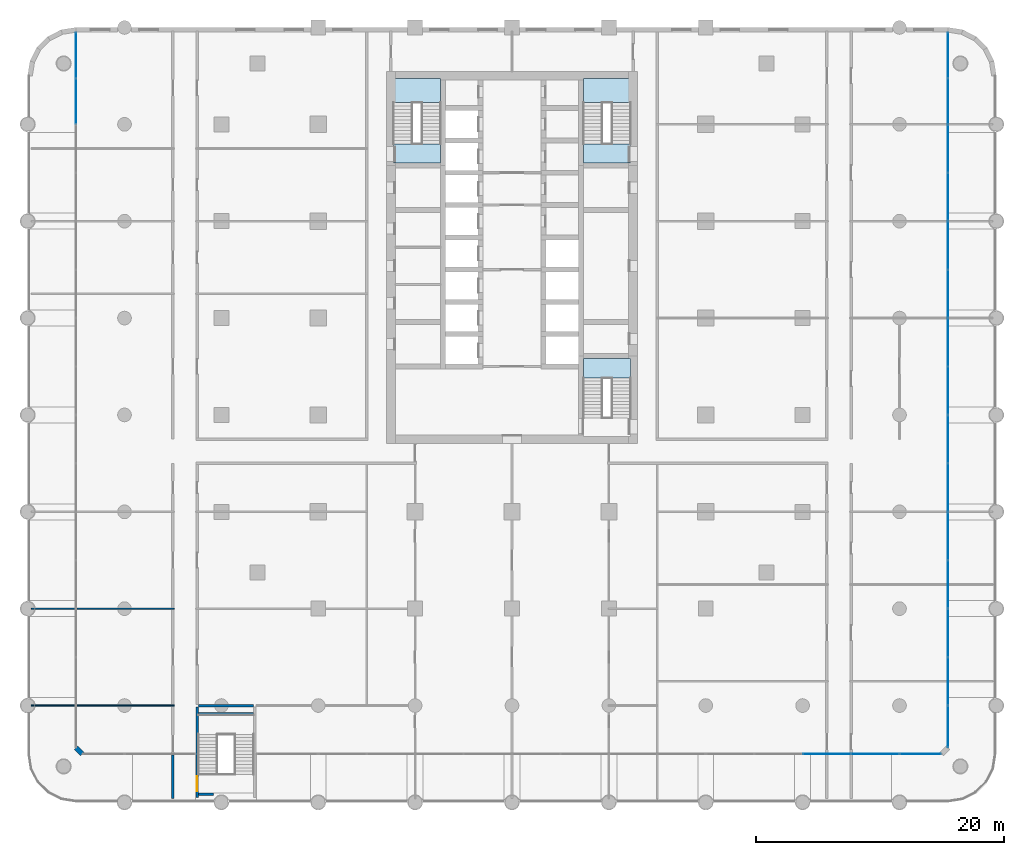
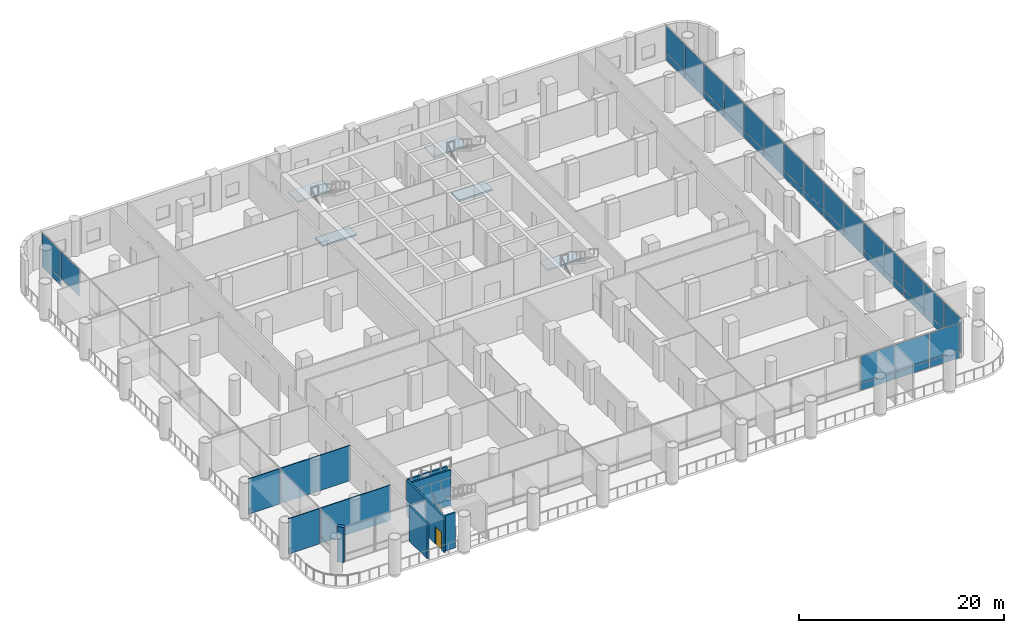
# One storey, part 9 of 24: 39 plates, 10 walls, 5 slabs, 1 door, 1 opening, 14 elements without a shape of their own.
"""IFC4 building model written with IfcOpenShell, lengths in metres."""

from ifc_helpers import new_model, si_unit, direction, frame, frame_2d, origin, origin_2d, place, context, subcontext, project, spatial, polyline, rectangle, outline, extrude, material, layer, layer_set, type_object, element, fill, aggregate, save


model = new_model("IFC4")

# Units and contexts
model_context = context("Model", 3, precision=1e-05, world=origin(), true_north=direction((0.0, 1.0)))
body_context = subcontext(model_context, "Body", "Model", "MODEL_VIEW")
ifc_project = project(units=[si_unit("LENGTHUNIT", "METRE"), si_unit("AREAUNIT", "SQUARE_METRE"), si_unit("VOLUMEUNIT", "CUBIC_METRE"), si_unit("PLANEANGLEUNIT", "RADIAN"), si_unit("MASSUNIT", "GRAM", prefix="KILO")], contexts=[model_context])

# Site, building, storey
site_placement = place(None, origin())
site = spatial("IfcSite", under=ifc_project, at=site_placement, CompositionType="ELEMENT")
building_placement = place(site_placement, origin())
building = spatial("IfcBuilding", under=site, at=building_placement, Name="Ludao Terraces", CompositionType="ELEMENT")
storey_placement = place(building_placement, frame((0.0, 0.0, 6.0)))
storey = spatial("IfcBuildingStorey", under=building, at=storey_placement, Name="L01", CompositionType="ELEMENT", Elevation=6.0)

# Curtain wall, plates
ifc_material_1 = material(Name="Aluminium curtain wall with fritted glass", Category="aluminium")
curtain_wall_type = type_object("IfcCurtainWallType", Name="ENV CW1 podium glazing", PredefinedType="NOTDEFINED", material=ifc_material_1)
curtain_wall_1_placement = place(storey_placement, origin())
curtain_wall_1 = element("IfcCurtainWall", 1, at=curtain_wall_1_placement, inside=storey, type_object=curtain_wall_type, Name="CW-L01-S9", PredefinedType="NOTDEFINED")
ifc_material_2 = material(Name="Fritted glass panel", Category="glass")
ifc_layer_1 = layer(ifc_material_2, 0.028076171875)
ifc_layer_set_1 = layer_set([ifc_layer_1], Name="ENV CW1 glass panel")
plate_type = type_object("IfcPlateType", Name="ENV CW1 glass panel", PredefinedType="CURTAIN_PANEL", material=ifc_layer_set_1)
plate_1_placement = place(storey_placement, frame((110.364990234375, 29.89990234375, 0.06005859375), z_axis=(0.0, 0.0, 1.0), x_axis=(1.0, 0.0, 0.0)))
plate_1 = element("IfcPlate", 2, at=plate_1_placement, type_object=plate_type, Name="CW1 panel 1.1", PredefinedType="CURTAIN_PANEL", context=body_context, shape_type="SweptSolid", body=[
    extrude(rectangle(XDim=3.81005859375, YDim=0.028076171875, at=origin_2d()), origin(), (0.0, 0.0, 1.0), 0.81005859375),
])
plate_2_placement = place(storey_placement, frame((110.364990234375, 29.89990234375, 0.929931640625), z_axis=(0.0, 0.0, 1.0), x_axis=(1.0, 0.0, 0.0)))
plate_2 = element("IfcPlate", 3, at=plate_2_placement, type_object=plate_type, Name="CW1 panel 1.2", PredefinedType="CURTAIN_PANEL", context=body_context, shape_type="SweptSolid", body=[
    extrude(rectangle(XDim=3.81005859375, YDim=0.028076171875, at=origin_2d()), origin(), (0.0, 0.0, 1.0), 3.2099609375),
])
plate_3_placement = place(storey_placement, frame((114.235107421875, 29.89990234375, 0.06005859375), z_axis=(0.0, 0.0, 1.0), x_axis=(1.0, 0.0, 0.0)))
plate_3 = element("IfcPlate", 4, at=plate_3_placement, type_object=plate_type, Name="CW1 panel 2.1", PredefinedType="CURTAIN_PANEL", context=body_context, shape_type="SweptSolid", body=[
    extrude(rectangle(XDim=3.81005859375, YDim=0.028076171875, at=origin_2d()), origin(), (0.0, 0.0, 1.0), 0.81005859375),
])
plate_4_placement = place(storey_placement, frame((114.235107421875, 29.89990234375, 0.929931640625), z_axis=(0.0, 0.0, 1.0), x_axis=(1.0, 0.0, 0.0)))
plate_4 = element("IfcPlate", 5, at=plate_4_placement, type_object=plate_type, Name="CW1 panel 2.2", PredefinedType="CURTAIN_PANEL", context=body_context, shape_type="SweptSolid", body=[
    extrude(rectangle(XDim=3.81005859375, YDim=0.028076171875, at=origin_2d()), origin(), (0.0, 0.0, 1.0), 3.2099609375),
])
aggregate(curtain_wall_1, [plate_1, plate_2, plate_3, plate_4])

curtain_wall_2_placement = place(storey_placement, origin())
curtain_wall_2 = element("IfcCurtainWall", 6, at=curtain_wall_2_placement, inside=storey, type_object=curtain_wall_type, Name="CW-L01-S10", PredefinedType="NOTDEFINED")
plate_5_placement = place(storey_placement, frame((117.89990234375, 29.89990234375, 0.06005859375), z_axis=(0.0, 0.0, 1.0), x_axis=(1.0, 0.0, 0.0)))
plate_5 = element("IfcPlate", 7, at=plate_5_placement, type_object=plate_type, Name="CW1 panel 1.1", PredefinedType="CURTAIN_PANEL", context=body_context, shape_type="SweptSolid", body=[
    extrude(rectangle(XDim=3.280029296875, YDim=0.028076171875, at=origin_2d()), origin(), (0.0, 0.0, 1.0), 0.81005859375),
])
plate_6_placement = place(storey_placement, frame((117.89990234375, 29.89990234375, 0.929931640625), z_axis=(0.0, 0.0, 1.0), x_axis=(1.0, 0.0, 0.0)))
plate_6 = element("IfcPlate", 8, at=plate_6_placement, type_object=plate_type, Name="CW1 panel 1.2", PredefinedType="CURTAIN_PANEL", context=body_context, shape_type="SweptSolid", body=[
    extrude(rectangle(XDim=3.280029296875, YDim=0.028076171875, at=origin_2d()), origin(), (0.0, 0.0, 1.0), 3.2099609375),
])
aggregate(curtain_wall_2, [plate_5, plate_6])

curtain_wall_3_placement = place(storey_placement, origin())
curtain_wall_3 = element("IfcCurtainWall", 9, at=curtain_wall_3_placement, inside=storey, type_object=curtain_wall_type, Name="CW-L01-E1", PredefinedType="NOTDEFINED")
plate_7_placement = place(storey_placement, frame((120.10009765625, 32.10009765625, 0.06005859375), z_axis=(0.0, 0.0, 1.0), x_axis=(0.0, 1.0, 0.0)))
plate_7 = element("IfcPlate", 10, at=plate_7_placement, type_object=plate_type, Name="CW1 panel 1.1", PredefinedType="CURTAIN_PANEL", context=body_context, shape_type="SweptSolid", body=[
    extrude(rectangle(XDim=3.280029296875, YDim=0.028076171875, at=origin_2d()), origin(), (0.0, 0.0, 1.0), 0.81005859375),
])
plate_8_placement = place(storey_placement, frame((120.10009765625, 32.10009765625, 0.929931640625), z_axis=(0.0, 0.0, 1.0), x_axis=(0.0, 1.0, 0.0)))
plate_8 = element("IfcPlate", 11, at=plate_8_placement, type_object=plate_type, Name="CW1 panel 1.2", PredefinedType="CURTAIN_PANEL", context=body_context, shape_type="SweptSolid", body=[
    extrude(rectangle(XDim=3.280029296875, YDim=0.028076171875, at=origin_2d()), origin(), (0.0, 0.0, 1.0), 3.2099609375),
])
aggregate(curtain_wall_3, [plate_7, plate_8])

curtain_wall_4_placement = place(storey_placement, origin())
curtain_wall_4 = element("IfcCurtainWall", 12, at=curtain_wall_4_placement, inside=storey, type_object=curtain_wall_type, Name="CW-L01-E2", PredefinedType="NOTDEFINED")
plate_9_placement = place(storey_placement, frame((120.10009765625, 35.764892578125, 0.06005859375), z_axis=(0.0, 0.0, 1.0), x_axis=(0.0, 1.0, 0.0)))
plate_9 = element("IfcPlate", 13, at=plate_9_placement, type_object=plate_type, Name="CW1 panel 1.1", PredefinedType="CURTAIN_PANEL", context=body_context, shape_type="SweptSolid", body=[
    extrude(rectangle(XDim=3.81005859375, YDim=0.028076171875, at=origin_2d()), origin(), (0.0, 0.0, 1.0), 0.81005859375),
])
plate_10_placement = place(storey_placement, frame((120.10009765625, 35.764892578125, 0.929931640625), z_axis=(0.0, 0.0, 1.0), x_axis=(0.0, 1.0, 0.0)))
plate_10 = element("IfcPlate", 14, at=plate_10_placement, type_object=plate_type, Name="CW1 panel 1.2", PredefinedType="CURTAIN_PANEL", context=body_context, shape_type="SweptSolid", body=[
    extrude(rectangle(XDim=3.81005859375, YDim=0.028076171875, at=origin_2d()), origin(), (0.0, 0.0, 1.0), 3.2099609375),
])
plate_11_placement = place(storey_placement, frame((120.10009765625, 39.635009765625, 0.06005859375), z_axis=(0.0, 0.0, 1.0), x_axis=(0.0, 1.0, 0.0)))
plate_11 = element("IfcPlate", 15, at=plate_11_placement, type_object=plate_type, Name="CW1 panel 2.1", PredefinedType="CURTAIN_PANEL", context=body_context, shape_type="SweptSolid", body=[
    extrude(rectangle(XDim=3.81005859375, YDim=0.028076171875, at=origin_2d()), origin(), (0.0, 0.0, 1.0), 0.81005859375),
])
plate_12_placement = place(storey_placement, frame((120.10009765625, 39.635009765625, 0.929931640625), z_axis=(0.0, 0.0, 1.0), x_axis=(0.0, 1.0, 0.0)))
plate_12 = element("IfcPlate", 16, at=plate_12_placement, type_object=plate_type, Name="CW1 panel 2.2", PredefinedType="CURTAIN_PANEL", context=body_context, shape_type="SweptSolid", body=[
    extrude(rectangle(XDim=3.81005859375, YDim=0.028076171875, at=origin_2d()), origin(), (0.0, 0.0, 1.0), 3.2099609375),
])
aggregate(curtain_wall_4, [plate_9, plate_10, plate_11, plate_12])

curtain_wall_5_placement = place(storey_placement, origin())
curtain_wall_5 = element("IfcCurtainWall", 17, at=curtain_wall_5_placement, inside=storey, type_object=curtain_wall_type, Name="CW-L01-E3", PredefinedType="NOTDEFINED")
plate_13_placement = place(storey_placement, frame((120.10009765625, 43.56494140625, 0.06005859375), z_axis=(0.0, 0.0, 1.0), x_axis=(0.0, 1.0, 0.0)))
plate_13 = element("IfcPlate", 18, at=plate_13_placement, type_object=plate_type, Name="CW1 panel 1.1", PredefinedType="CURTAIN_PANEL", context=body_context, shape_type="SweptSolid", body=[
    extrude(rectangle(XDim=3.81005859375, YDim=0.028076171875, at=origin_2d()), origin(), (0.0, 0.0, 1.0), 0.81005859375),
])
plate_14_placement = place(storey_placement, frame((120.10009765625, 43.56494140625, 0.929931640625), z_axis=(0.0, 0.0, 1.0), x_axis=(0.0, 1.0, 0.0)))
plate_14 = element("IfcPlate", 19, at=plate_14_placement, type_object=plate_type, Name="CW1 panel 1.2", PredefinedType="CURTAIN_PANEL", context=body_context, shape_type="SweptSolid", body=[
    extrude(rectangle(XDim=3.81005859375, YDim=0.028076171875, at=origin_2d()), origin(), (0.0, 0.0, 1.0), 3.2099609375),
])
plate_15_placement = place(storey_placement, frame((120.10009765625, 47.43505859375, 0.06005859375), z_axis=(0.0, 0.0, 1.0), x_axis=(0.0, 1.0, 0.0)))
plate_15 = element("IfcPlate", 20, at=plate_15_placement, type_object=plate_type, Name="CW1 panel 2.1", PredefinedType="CURTAIN_PANEL", context=body_context, shape_type="SweptSolid", body=[
    extrude(rectangle(XDim=3.81005859375, YDim=0.028076171875, at=origin_2d()), origin(), (0.0, 0.0, 1.0), 0.81005859375),
])
plate_16_placement = place(storey_placement, frame((120.10009765625, 47.43505859375, 0.929931640625), z_axis=(0.0, 0.0, 1.0), x_axis=(0.0, 1.0, 0.0)))
plate_16 = element("IfcPlate", 21, at=plate_16_placement, type_object=plate_type, Name="CW1 panel 2.2", PredefinedType="CURTAIN_PANEL", context=body_context, shape_type="SweptSolid", body=[
    extrude(rectangle(XDim=3.81005859375, YDim=0.028076171875, at=origin_2d()), origin(), (0.0, 0.0, 1.0), 3.2099609375),
])
aggregate(curtain_wall_5, [plate_13, plate_14, plate_15, plate_16])

curtain_wall_6_placement = place(storey_placement, origin())
curtain_wall_6 = element("IfcCurtainWall", 22, at=curtain_wall_6_placement, inside=storey, type_object=curtain_wall_type, Name="CW-L01-E4", PredefinedType="NOTDEFINED")
plate_17_placement = place(storey_placement, frame((120.10009765625, 51.364990234375, 0.06005859375), z_axis=(0.0, 0.0, 1.0), x_axis=(0.0, 1.0, 0.0)))
plate_17 = element("IfcPlate", 23, at=plate_17_placement, type_object=plate_type, Name="CW1 panel 1.1", PredefinedType="CURTAIN_PANEL", context=body_context, shape_type="SweptSolid", body=[
    extrude(rectangle(XDim=3.81005859375, YDim=0.028076171875, at=origin_2d()), origin(), (0.0, 0.0, 1.0), 0.81005859375),
])
plate_18_placement = place(storey_placement, frame((120.10009765625, 51.364990234375, 0.929931640625), z_axis=(0.0, 0.0, 1.0), x_axis=(0.0, 1.0, 0.0)))
plate_18 = element("IfcPlate", 24, at=plate_18_placement, type_object=plate_type, Name="CW1 panel 1.2", PredefinedType="CURTAIN_PANEL", context=body_context, shape_type="SweptSolid", body=[
    extrude(rectangle(XDim=3.81005859375, YDim=0.028076171875, at=origin_2d()), origin(), (0.0, 0.0, 1.0), 3.2099609375),
])
plate_19_placement = place(storey_placement, frame((120.10009765625, 55.235107421875, 0.06005859375), z_axis=(0.0, 0.0, 1.0), x_axis=(0.0, 1.0, 0.0)))
plate_19 = element("IfcPlate", 25, at=plate_19_placement, type_object=plate_type, Name="CW1 panel 2.1", PredefinedType="CURTAIN_PANEL", context=body_context, shape_type="SweptSolid", body=[
    extrude(rectangle(XDim=3.81005859375, YDim=0.028076171875, at=origin_2d()), origin(), (0.0, 0.0, 1.0), 0.81005859375),
])
plate_20_placement = place(storey_placement, frame((120.10009765625, 55.235107421875, 0.929931640625), z_axis=(0.0, 0.0, 1.0), x_axis=(0.0, 1.0, 0.0)))
plate_20 = element("IfcPlate", 26, at=plate_20_placement, type_object=plate_type, Name="CW1 panel 2.2", PredefinedType="CURTAIN_PANEL", context=body_context, shape_type="SweptSolid", body=[
    extrude(rectangle(XDim=3.81005859375, YDim=0.028076171875, at=origin_2d()), origin(), (0.0, 0.0, 1.0), 3.2099609375),
])
aggregate(curtain_wall_6, [plate_17, plate_18, plate_19, plate_20])

curtain_wall_7_placement = place(storey_placement, origin())
curtain_wall_7 = element("IfcCurtainWall", 27, at=curtain_wall_7_placement, inside=storey, type_object=curtain_wall_type, Name="CW-L01-E5", PredefinedType="NOTDEFINED")
plate_21_placement = place(storey_placement, frame((120.10009765625, 59.1650390625, 0.06005859375), z_axis=(0.0, 0.0, 1.0), x_axis=(0.0, 1.0, 0.0)))
plate_21 = element("IfcPlate", 28, at=plate_21_placement, type_object=plate_type, Name="CW1 panel 1.1", PredefinedType="CURTAIN_PANEL", context=body_context, shape_type="SweptSolid", body=[
    extrude(rectangle(XDim=3.81005859375, YDim=0.028076171875, at=origin_2d()), origin(), (0.0, 0.0, 1.0), 0.81005859375),
])
plate_22_placement = place(storey_placement, frame((120.10009765625, 59.1650390625, 0.929931640625), z_axis=(0.0, 0.0, 1.0), x_axis=(0.0, 1.0, 0.0)))
plate_22 = element("IfcPlate", 29, at=plate_22_placement, type_object=plate_type, Name="CW1 panel 1.2", PredefinedType="CURTAIN_PANEL", context=body_context, shape_type="SweptSolid", body=[
    extrude(rectangle(XDim=3.81005859375, YDim=0.028076171875, at=origin_2d()), origin(), (0.0, 0.0, 1.0), 3.2099609375),
])
plate_23_placement = place(storey_placement, frame((120.10009765625, 63.034912109375, 0.06005859375), z_axis=(0.0, 0.0, 1.0), x_axis=(0.0, 1.0, 0.0)))
plate_23 = element("IfcPlate", 30, at=plate_23_placement, type_object=plate_type, Name="CW1 panel 2.1", PredefinedType="CURTAIN_PANEL", context=body_context, shape_type="SweptSolid", body=[
    extrude(rectangle(XDim=3.81005859375, YDim=0.028076171875, at=origin_2d()), origin(), (0.0, 0.0, 1.0), 0.81005859375),
])
plate_24_placement = place(storey_placement, frame((120.10009765625, 63.034912109375, 0.929931640625), z_axis=(0.0, 0.0, 1.0), x_axis=(0.0, 1.0, 0.0)))
plate_24 = element("IfcPlate", 31, at=plate_24_placement, type_object=plate_type, Name="CW1 panel 2.2", PredefinedType="CURTAIN_PANEL", context=body_context, shape_type="SweptSolid", body=[
    extrude(rectangle(XDim=3.81005859375, YDim=0.028076171875, at=origin_2d()), origin(), (0.0, 0.0, 1.0), 3.2099609375),
])
aggregate(curtain_wall_7, [plate_21, plate_22, plate_23, plate_24])

curtain_wall_8_placement = place(storey_placement, origin())
curtain_wall_8 = element("IfcCurtainWall", 32, at=curtain_wall_8_placement, inside=storey, type_object=curtain_wall_type, Name="CW-L01-E6", PredefinedType="NOTDEFINED")
plate_25_placement = place(storey_placement, frame((120.10009765625, 66.965087890625, 0.06005859375), z_axis=(0.0, 0.0, 1.0), x_axis=(0.0, 1.0, 0.0)))
plate_25 = element("IfcPlate", 33, at=plate_25_placement, type_object=plate_type, Name="CW1 panel 1.1", PredefinedType="CURTAIN_PANEL", context=body_context, shape_type="SweptSolid", body=[
    extrude(rectangle(XDim=3.81005859375, YDim=0.028076171875, at=origin_2d()), origin(), (0.0, 0.0, 1.0), 0.81005859375),
])
plate_26_placement = place(storey_placement, frame((120.10009765625, 66.965087890625, 0.929931640625), z_axis=(0.0, 0.0, 1.0), x_axis=(0.0, 1.0, 0.0)))
plate_26 = element("IfcPlate", 34, at=plate_26_placement, type_object=plate_type, Name="CW1 panel 1.2", PredefinedType="CURTAIN_PANEL", context=body_context, shape_type="SweptSolid", body=[
    extrude(rectangle(XDim=3.81005859375, YDim=0.028076171875, at=origin_2d()), origin(), (0.0, 0.0, 1.0), 3.2099609375),
])
plate_27_placement = place(storey_placement, frame((120.10009765625, 70.8349609375, 0.06005859375), z_axis=(0.0, 0.0, 1.0), x_axis=(0.0, 1.0, 0.0)))
plate_27 = element("IfcPlate", 35, at=plate_27_placement, type_object=plate_type, Name="CW1 panel 2.1", PredefinedType="CURTAIN_PANEL", context=body_context, shape_type="SweptSolid", body=[
    extrude(rectangle(XDim=3.81005859375, YDim=0.028076171875, at=origin_2d()), origin(), (0.0, 0.0, 1.0), 0.81005859375),
])
plate_28_placement = place(storey_placement, frame((120.10009765625, 70.8349609375, 0.929931640625), z_axis=(0.0, 0.0, 1.0), x_axis=(0.0, 1.0, 0.0)))
plate_28 = element("IfcPlate", 36, at=plate_28_placement, type_object=plate_type, Name="CW1 panel 2.2", PredefinedType="CURTAIN_PANEL", context=body_context, shape_type="SweptSolid", body=[
    extrude(rectangle(XDim=3.81005859375, YDim=0.028076171875, at=origin_2d()), origin(), (0.0, 0.0, 1.0), 3.2099609375),
])
aggregate(curtain_wall_8, [plate_25, plate_26, plate_27, plate_28])

curtain_wall_9_placement = place(storey_placement, origin())
curtain_wall_9 = element("IfcCurtainWall", 37, at=curtain_wall_9_placement, inside=storey, type_object=curtain_wall_type, Name="CW-L01-E7", PredefinedType="NOTDEFINED")
plate_29_placement = place(storey_placement, frame((120.10009765625, 74.764892578125, 0.06005859375), z_axis=(0.0, 0.0, 1.0), x_axis=(0.0, 1.0, 0.0)))
plate_29 = element("IfcPlate", 38, at=plate_29_placement, type_object=plate_type, Name="CW1 panel 1.1", PredefinedType="CURTAIN_PANEL", context=body_context, shape_type="SweptSolid", body=[
    extrude(rectangle(XDim=3.81005859375, YDim=0.028076171875, at=origin_2d()), origin(), (0.0, 0.0, 1.0), 0.81005859375),
])
plate_30_placement = place(storey_placement, frame((120.10009765625, 74.764892578125, 0.929931640625), z_axis=(0.0, 0.0, 1.0), x_axis=(0.0, 1.0, 0.0)))
plate_30 = element("IfcPlate", 39, at=plate_30_placement, type_object=plate_type, Name="CW1 panel 1.2", PredefinedType="CURTAIN_PANEL", context=body_context, shape_type="SweptSolid", body=[
    extrude(rectangle(XDim=3.81005859375, YDim=0.028076171875, at=origin_2d()), origin(), (0.0, 0.0, 1.0), 3.2099609375),
])
plate_31_placement = place(storey_placement, frame((120.10009765625, 78.635009765625, 0.06005859375), z_axis=(0.0, 0.0, 1.0), x_axis=(0.0, 1.0, 0.0)))
plate_31 = element("IfcPlate", 40, at=plate_31_placement, type_object=plate_type, Name="CW1 panel 2.1", PredefinedType="CURTAIN_PANEL", context=body_context, shape_type="SweptSolid", body=[
    extrude(rectangle(XDim=3.81005859375, YDim=0.028076171875, at=origin_2d()), origin(), (0.0, 0.0, 1.0), 0.81005859375),
])
plate_32_placement = place(storey_placement, frame((120.10009765625, 78.635009765625, 0.929931640625), z_axis=(0.0, 0.0, 1.0), x_axis=(0.0, 1.0, 0.0)))
plate_32 = element("IfcPlate", 41, at=plate_32_placement, type_object=plate_type, Name="CW1 panel 2.2", PredefinedType="CURTAIN_PANEL", context=body_context, shape_type="SweptSolid", body=[
    extrude(rectangle(XDim=3.81005859375, YDim=0.028076171875, at=origin_2d()), origin(), (0.0, 0.0, 1.0), 3.2099609375),
])
aggregate(curtain_wall_9, [plate_29, plate_30, plate_31, plate_32])

curtain_wall_10_placement = place(storey_placement, origin())
curtain_wall_10 = element("IfcCurtainWall", 42, at=curtain_wall_10_placement, inside=storey, type_object=curtain_wall_type, Name="CW-L01-E8", PredefinedType="NOTDEFINED")
plate_33_placement = place(storey_placement, frame((120.10009765625, 82.469970703125, 0.06005859375), z_axis=(0.0, 0.0, 1.0), x_axis=(0.0, 1.0, 0.0)))
plate_33 = element("IfcPlate", 43, at=plate_33_placement, type_object=plate_type, Name="CW1 panel 1.1", PredefinedType="CURTAIN_PANEL", context=body_context, shape_type="SweptSolid", body=[
    extrude(rectangle(XDim=3.6201171875, YDim=0.028076171875, at=origin_2d()), origin(), (0.0, 0.0, 1.0), 0.81005859375),
])
plate_34_placement = place(storey_placement, frame((120.10009765625, 82.469970703125, 0.929931640625), z_axis=(0.0, 0.0, 1.0), x_axis=(0.0, 1.0, 0.0)))
plate_34 = element("IfcPlate", 44, at=plate_34_placement, type_object=plate_type, Name="CW1 panel 1.2", PredefinedType="CURTAIN_PANEL", context=body_context, shape_type="SweptSolid", body=[
    extrude(rectangle(XDim=3.6201171875, YDim=0.028076171875, at=origin_2d()), origin(), (0.0, 0.0, 1.0), 3.2099609375),
])
plate_35_placement = place(storey_placement, frame((120.10009765625, 86.14990234375, 0.06005859375), z_axis=(0.0, 0.0, 1.0), x_axis=(0.0, 1.0, 0.0)))
plate_35 = element("IfcPlate", 45, at=plate_35_placement, type_object=plate_type, Name="CW1 panel 2.1", PredefinedType="CURTAIN_PANEL", context=body_context, shape_type="SweptSolid", body=[
    extrude(rectangle(XDim=3.6201171875, YDim=0.028076171875, at=origin_2d()), origin(), (0.0, 0.0, 1.0), 0.81005859375),
])
plate_36_placement = place(storey_placement, frame((120.10009765625, 86.14990234375, 0.929931640625), z_axis=(0.0, 0.0, 1.0), x_axis=(0.0, 1.0, 0.0)))
plate_36 = element("IfcPlate", 46, at=plate_36_placement, type_object=plate_type, Name="CW1 panel 2.2", PredefinedType="CURTAIN_PANEL", context=body_context, shape_type="SweptSolid", body=[
    extrude(rectangle(XDim=3.6201171875, YDim=0.028076171875, at=origin_2d()), origin(), (0.0, 0.0, 1.0), 3.2099609375),
])
aggregate(curtain_wall_10, [plate_33, plate_34, plate_35, plate_36])

curtain_wall_11_placement = place(storey_placement, origin())
curtain_wall_11 = element("IfcCurtainWall", 47, at=curtain_wall_11_placement, inside=storey, type_object=curtain_wall_type, Name="CW-L01-W8", PredefinedType="NOTDEFINED")
plate_37_placement = place(storey_placement, frame((49.89990234375, 82.469970703125, 0.929931640625), z_axis=(0.0, 0.0, 1.0), x_axis=(0.0, 1.0, 0.0)))
plate_37 = element("IfcPlate", 48, at=plate_37_placement, type_object=plate_type, Name="CW1 panel 1.2", PredefinedType="CURTAIN_PANEL", context=body_context, shape_type="SweptSolid", body=[
    extrude(rectangle(XDim=3.6201171875, YDim=0.028076171875, at=origin_2d()), origin(), (0.0, 0.0, 1.0), 3.2099609375),
])
plate_38_placement = place(storey_placement, frame((49.89990234375, 86.14990234375, 0.06005859375), z_axis=(0.0, 0.0, 1.0), x_axis=(0.0, 1.0, 0.0)))
plate_38 = element("IfcPlate", 49, at=plate_38_placement, type_object=plate_type, Name="CW1 panel 2.1", PredefinedType="CURTAIN_PANEL", context=body_context, shape_type="SweptSolid", body=[
    extrude(rectangle(XDim=3.6201171875, YDim=0.028076171875, at=origin_2d()), origin(), (0.0, 0.0, 1.0), 0.81005859375),
])
plate_39_placement = place(storey_placement, frame((49.89990234375, 86.14990234375, 0.929931640625), z_axis=(0.0, 0.0, 1.0), x_axis=(0.0, 1.0, 0.0)))
plate_39 = element("IfcPlate", 50, at=plate_39_placement, type_object=plate_type, Name="CW1 panel 2.2", PredefinedType="CURTAIN_PANEL", context=body_context, shape_type="SweptSolid", body=[
    extrude(rectangle(XDim=3.6201171875, YDim=0.028076171875, at=origin_2d()), origin(), (0.0, 0.0, 1.0), 3.2099609375),
])
aggregate(curtain_wall_11, [plate_37, plate_38, plate_39])

# Stair, slabs
ifc_material_3 = material(Name="Concrete C40", Category="concrete")
stair_type = type_object("IfcStairType", Name="INT Stair", PredefinedType="HALF_TURN_STAIR", material=ifc_material_3)
stair_1_placement = place(storey_placement, origin())
stair_1 = element("IfcStair", 51, at=stair_1_placement, inside=storey, type_object=stair_type, Name="EXIT STAIR 1", PredefinedType="HALF_TURN_STAIR")
ifc_layer_2 = layer(ifc_material_3, 0.199951171875)
ifc_layer_set_2 = layer_set([ifc_layer_2], Name="INT Stair landing 200")
slab_type = type_object("IfcSlabType", Name="INT Stair landing 200", PredefinedType="LANDING", material=ifc_layer_set_2)
slab_1_placement = place(storey_placement, frame((0.0, 0.0, 2.050048828125)))
slab_1 = element("IfcSlab", 52, at=slab_1_placement, type_object=slab_type, Name="ST1 landing 1", PredefinedType="LANDING", context=body_context, shape_type="SweptSolid", body=[
    extrude(outline(polyline([(75.449951171875, 82.360107421875), (79.25, 82.360107421875), (79.25, 84.300048828125), (75.449951171875, 84.300048828125), (75.449951171875, 82.360107421875)])), origin(), (0.0, 0.0, 1.0), 0.199951171875),
])
slab_2_placement = place(storey_placement, frame((0.0, 0.0, -0.199951171875)))
slab_2 = element("IfcSlab", 53, at=slab_2_placement, type_object=slab_type, Name="ST1 landing 2", PredefinedType="LANDING", context=body_context, shape_type="SweptSolid", body=[
    extrude(outline(polyline([(75.449951171875, 77.5), (79.25, 77.5), (79.25, 79.0), (75.449951171875, 79.0), (75.449951171875, 77.5)])), origin(), (0.0, 0.0, 1.0), 0.199951171875),
])
aggregate(stair_1, [slab_1, slab_2])

stair_2_placement = place(storey_placement, origin())
stair_2 = element("IfcStair", 54, at=stair_2_placement, inside=storey, type_object=stair_type, Name="EXIT STAIR 2", PredefinedType="HALF_TURN_STAIR")
slab_3_placement = place(storey_placement, frame((0.0, 0.0, 2.050048828125)))
slab_3 = element("IfcSlab", 55, at=slab_3_placement, type_object=slab_type, Name="ST2 landing 1", PredefinedType="LANDING", context=body_context, shape_type="SweptSolid", body=[
    extrude(outline(polyline([(90.75, 82.360107421875), (94.550048828125, 82.360107421875), (94.550048828125, 84.300048828125), (90.75, 84.300048828125), (90.75, 82.360107421875)])), origin(), (0.0, 0.0, 1.0), 0.199951171875),
])
slab_4_placement = place(storey_placement, frame((0.0, 0.0, -0.199951171875)))
slab_4 = element("IfcSlab", 56, at=slab_4_placement, type_object=slab_type, Name="ST2 landing 2", PredefinedType="LANDING", context=body_context, shape_type="SweptSolid", body=[
    extrude(outline(polyline([(90.75, 77.5), (94.550048828125, 77.5), (94.550048828125, 79.0), (90.75, 79.0), (90.75, 77.5)])), origin(), (0.0, 0.0, 1.0), 0.199951171875),
])
aggregate(stair_2, [slab_3, slab_4])

# Stair, slab
stair_3_placement = place(storey_placement, origin())
stair_3 = element("IfcStair", 57, at=stair_3_placement, inside=storey, type_object=stair_type, Name="EXIT STAIR 3", PredefinedType="HALF_TURN_STAIR")
slab_5_placement = place(storey_placement, frame((0.0, 0.0, 2.050048828125)))
slab_5 = element("IfcSlab", 58, at=slab_5_placement, type_object=slab_type, Name="ST3 landing 1", PredefinedType="LANDING", context=body_context, shape_type="SweptSolid", body=[
    extrude(outline(polyline([(90.75, 60.18994140625), (94.550048828125, 60.18994140625), (94.550048828125, 61.75), (90.75, 61.75), (90.75, 60.18994140625)])), origin(), (0.0, 0.0, 1.0), 0.199951171875),
])
aggregate(stair_3, [slab_5])

# Walls
ifc_material_4 = material(Name="Granite cladding", Category="masonry")
ifc_layer_3 = layer(ifc_material_4, 0.06005859375, Category="stone")
ifc_material_5 = material(Name="Mineral wool")
ifc_layer_4 = layer(ifc_material_5, 0.06005859375)
ifc_layer_5 = layer(ifc_material_3, 0.260009765625, Category="concrete")
ifc_layer_set_3 = layer_set([ifc_layer_3, ifc_layer_4, ifc_layer_5], Name="ENV Stone-clad wall 380")
wall_type_1 = type_object("IfcWallType", Name="ENV Stone-clad wall 380", PredefinedType="SOLIDWALL", material=ifc_layer_set_3)
wall_1_placement = place(storey_placement, frame((50.39990234375, 29.89990234375, 0.0), z_axis=(0.0, 0.0, 1.0), x_axis=(-0.707106781187, 0.707106781187, 0.0)))
element("IfcWall", 59, at=wall_1_placement, inside=storey, type_object=wall_type_1, Name="EW-L01-SW", PredefinedType="SOLIDWALL", context=body_context, shape_type="SweptSolid", body=[
    extrude(rectangle(XDim=0.70703125, YDim=0.3798828125, at=frame_2d((0.353515625, 0.0))), origin(), (0.0, 0.0, 1.0), 4.199951171875),
])
ifc_material_6 = material(Name="Autoclaved aerated concrete block B06 A3.5", Category="concrete")
ifc_layer_6 = layer(ifc_material_6, 0.199951171875)
ifc_layer_set_4 = layer_set([ifc_layer_6], Name="INT Entrance wall 200")
wall_type_2 = type_object("IfcWallType", Name="INT Entrance wall 200", PredefinedType="PARTITIONING", material=ifc_layer_set_4)
wall_2_placement = place(storey_placement, frame((57.699951171875, 26.300048828125, 0.0), z_axis=(0.0, 0.0, 1.0), x_axis=(0.0, 1.0, 0.0)))
element("IfcWall", 60, at=wall_2_placement, inside=storey, type_object=wall_type_2, Name="PW-L01-PW049", PredefinedType="PARTITIONING", context=body_context, shape_type="SweptSolid", body=[
    extrude(rectangle(XDim=3.52001953125, YDim=0.199951171875, at=frame_2d((1.760009765625, 0.0))), origin(), (0.0, 0.0, 1.0), 4.199951171875),
])
ifc_material_7 = material(Name="Gypsum plasterboard", Category="gypsum")
ifc_layer_7 = layer(ifc_material_7, 0.012451171875, Category="gypsum")
ifc_layer_8 = layer(ifc_material_5, 0.06005859375, Name="insulation")
ifc_material_8 = material(Name="Steel Q235", Category="steel")
ifc_layer_9 = layer(ifc_material_8, 0.014892578125, Name="stud")
ifc_layer_10 = layer(ifc_material_7, 0.012451171875, Category="gypsum")
ifc_layer_set_5 = layer_set([ifc_layer_7, ifc_layer_8, ifc_layer_9, ifc_layer_10], Name="INT Partition 100")
wall_type_3 = type_object("IfcWallType", Name="INT Partition 100", PredefinedType="PARTITIONING", material=ifc_layer_set_5)
wall_3_placement = place(storey_placement, frame((46.300048828125, 33.800048828125, 0.0), z_axis=(0.0, 0.0, 1.0), x_axis=(1.0, 0.0, 0.0)))
element("IfcWall", 61, at=wall_3_placement, inside=storey, type_object=wall_type_3, Name="PW-L01-PW000", PredefinedType="PARTITIONING", context=body_context, shape_type="SweptSolid", body=[
    extrude(rectangle(XDim=3.52001953125, YDim=0.10009765625, at=frame_2d((1.760009765625, 0.0))), origin(), (0.0, 0.0, 1.0), 4.199951171875),
])
wall_4_placement = place(storey_placement, frame((49.97998046875, 33.800048828125, 0.0), z_axis=(0.0, 0.0, 1.0), x_axis=(1.0, 0.0, 0.0)))
element("IfcWall", 62, at=wall_4_placement, inside=storey, type_object=wall_type_3, Name="PW-L01-PW001", PredefinedType="PARTITIONING", context=body_context, shape_type="SweptSolid", body=[
    extrude(rectangle(XDim=7.820068359375, YDim=0.10009765625, at=frame_2d((3.91015625, 0.0))), origin(), (0.0, 0.0, 1.0), 4.199951171875),
])
wall_5_placement = place(storey_placement, frame((46.300048828125, 41.60009765625, 0.0), z_axis=(0.0, 0.0, 1.0), x_axis=(1.0, 0.0, 0.0)))
element("IfcWall", 63, at=wall_5_placement, inside=storey, type_object=wall_type_3, Name="PW-L01-PW008", PredefinedType="PARTITIONING", context=body_context, shape_type="SweptSolid", body=[
    extrude(rectangle(XDim=3.52001953125, YDim=0.10009765625, at=frame_2d((1.760009765625, 0.0))), origin(), (0.0, 0.0, 1.0), 4.199951171875),
])
wall_6_placement = place(storey_placement, frame((49.97998046875, 41.60009765625, 0.0), z_axis=(0.0, 0.0, 1.0), x_axis=(1.0, 0.0, 0.0)))
element("IfcWall", 64, at=wall_6_placement, inside=storey, type_object=wall_type_3, Name="PW-L01-PW009", PredefinedType="PARTITIONING", context=body_context, shape_type="SweptSolid", body=[
    extrude(rectangle(XDim=7.820068359375, YDim=0.10009765625, at=frame_2d((3.91015625, 0.0))), origin(), (0.0, 0.0, 1.0), 4.199951171875),
])
ifc_layer_11 = layer(ifc_material_3, 0.199951171875)
ifc_layer_set_6 = layer_set([ifc_layer_11], Name="INT Stair enclosure wall 200")
wall_type_4 = type_object("IfcWallType", Name="INT Stair enclosure wall 200", PredefinedType="PARTITIONING", material=ifc_layer_set_6)
wall_7_placement = place(storey_placement, frame((59.75, 33.800048828125, 0.0), z_axis=(0.0, 0.0, 1.0), x_axis=(1.0, 0.0, 0.0)))
element("IfcWall", 65, at=wall_7_placement, inside=storey, type_object=wall_type_4, Name="PW-L01-PW002", PredefinedType="PARTITIONING", context=body_context, shape_type="SweptSolid", body=[
    extrude(rectangle(XDim=4.4501953125, YDim=0.199951171875, at=frame_2d((2.22509765625, 0.0))), origin(), (0.0, 0.0, 1.0), 4.199951171875),
])

# Wall, opening, door
ifc_material_9 = material(Name="Concrete C50", Category="concrete")
ifc_layer_12 = layer(ifc_material_9, 0.199951171875)
ifc_layer_set_7 = layer_set([ifc_layer_12], Name="Shaft wall 200 C50")
wall_type_5 = type_object("IfcWallType", Name="Shaft wall 200 C50", PredefinedType="SOLIDWALL", material=ifc_layer_set_7)
wall_8_placement = place(storey_placement, frame((59.64990234375, 26.3798828125, 0.0), z_axis=(0.0, 0.0, 1.0), x_axis=(0.0, 1.0, 0.0)))
wall_8 = element("IfcWall", 66, at=wall_8_placement, inside=storey, type_object=wall_type_5, Name="Stair wall L01 PS1 W", PredefinedType="SOLIDWALL", context=body_context, shape_type="SweptSolid", body=[
    extrude(rectangle(XDim=7.320068359375, YDim=0.199951171875, at=frame_2d((3.66015625, 0.0))), origin(), (0.0, 0.0, 1.0), 4.199951171875),
])
opening_placement = place(wall_8_placement, frame((0.52001953125, 0.0, 0.0)))
opening = element("IfcOpeningElement", 67, at=opening_placement, cuts=wall_8, Name="Opening L01-001", PredefinedType="OPENING", context=body_context, shape_type="SweptSolid", body=[
    extrude(rectangle(XDim=1.199951171875, YDim=2.10009765625, at=frame_2d((0.60009765625, 1.050048828125))), frame((0.0, 0.10986328125, 0.0), z_axis=(0.0, -1.0, 0.0), x_axis=(1.0, 0.0, 0.0)), (0.0, 0.0, 1.0), 0.219970703125),
])
door_type = type_object("IfcDoorType", Name="INT Stair door 1200", OperationType="DOUBLE_DOOR_SINGLE_SWING", PredefinedType="DOOR", material=ifc_material_8)
door_placement = place(opening_placement, origin())
door = element("IfcDoor", 68, at=door_placement, inside=storey, type_object=door_type, Name="DOOR 001", OperationType="DOUBLE_DOOR_SINGLE_SWING", OverallHeight=2.10009765625, OverallWidth=1.199951171875, PredefinedType="DOOR", context=body_context, shape_type="SweptSolid", body=[
    extrude(rectangle(XDim=1.199951171875, YDim=2.10009765625, at=frame_2d((0.60009765625, 1.050048828125))), frame((0.0, 0.02490234375, 0.0), z_axis=(0.0, -1.0, 0.0), x_axis=(1.0, 0.0, 0.0)), (0.0, 0.0, 1.0), 0.050048828125),
])
fill(opening, door)

# Walls
wall_9_placement = place(storey_placement, frame((59.75, 33.14990234375, 0.0), z_axis=(0.0, 0.0, 1.0), x_axis=(1.0, 0.0, 0.0)))
element("IfcWall", 69, at=wall_9_placement, inside=storey, type_object=wall_type_5, Name="Stair wall L01 PS1 N", PredefinedType="SOLIDWALL", context=body_context, shape_type="SweptSolid", body=[
    extrude(rectangle(XDim=4.449951171875, YDim=0.199951171875, at=frame_2d((2.22509765625, 0.0))), origin(), (0.0, 0.0, 1.0), 4.199951171875),
])
wall_10_placement = place(storey_placement, frame((59.75, 26.64990234375, 0.0), z_axis=(0.0, 0.0, 1.0), x_axis=(1.0, 0.0, 0.0)))
element("IfcWall", 70, at=wall_10_placement, inside=storey, type_object=wall_type_5, Name="Stair wall L01 PS1 S", PredefinedType="SOLIDWALL", context=body_context, shape_type="SweptSolid", body=[
    extrude(rectangle(XDim=1.199951171875, YDim=0.199951171875, at=frame_2d((0.60009765625, 0.0))), origin(), (0.0, 0.0, 1.0), 4.199951171875),
])

save(model, "model.ifc")
